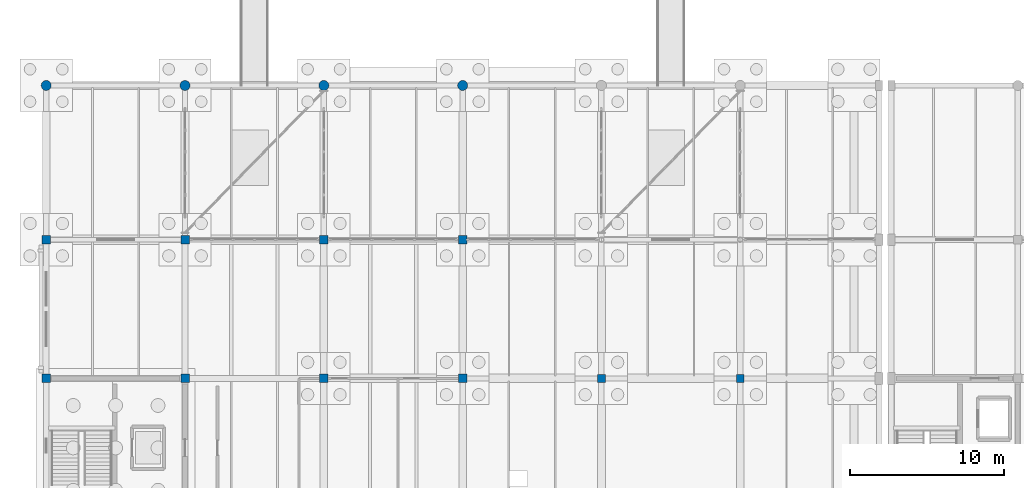
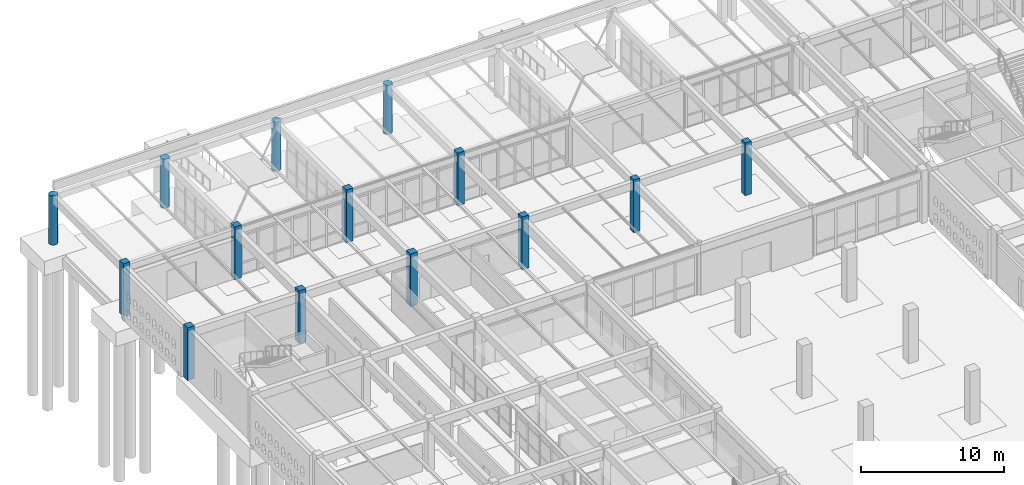
# One storey, part 13 of 186: 14 columns.
"""IFC4 building model written with IfcOpenShell, lengths in metres."""

import ifcopenshell
import ifcopenshell.guid

model = None  # the IFC model being written
_history = None  # IfcOwnerHistory: only IFC2X3 demands one
_inside = {}  # id of a spatial element -> (the spatial element, [elements in it])
_under = {}  # id of a project, library or spatial element -> (it, [spatial elements below it])
_declared = {}  # id of a project -> (the project, [libraries it declares])
_typed = {}  # id of a type object -> (the type object, [elements of that type])
_made_of = {}  # id of a material, layer set ... -> (it, [elements and type objects made of it])


def new_model(schema):
    """Start an empty IFC model of exactly this schema.

    Asked for "IFC4X3", IfcOpenShell would pick the latest addendum, in which some entities
    have other attributes; the version numbers below select the first issue.
    IFC2X3 requires an IfcOwnerHistory on every rooted entity: one is made here for all.
    """
    global model, _history
    if schema == "IFC4X3":
        model = ifcopenshell.file(schema_version=(4, 3, 0, 0))
    else:
        model = ifcopenshell.file(schema=schema)
    _inside.clear()
    _under.clear()
    _declared.clear()
    _typed.clear()
    _made_of.clear()
    _history = None
    if model.schema == "IFC2X3":
        org = make("IfcOrganization", Name="unknown")
        user = make(
            "IfcPersonAndOrganization",
            ThePerson=make("IfcPerson", FamilyName="unknown"),
            TheOrganization=org,
        )
        app = make(
            "IfcApplication",
            ApplicationDeveloper=org,
            Version="unknown",
            ApplicationFullName="unknown",
            ApplicationIdentifier="unknown",
        )
        _history = make(
            "IfcOwnerHistory",
            OwningUser=user,
            OwningApplication=app,
            ChangeAction="ADDED",
            CreationDate=0,
        )
    return model


def make(cls, **values):
    """One entity of the class cls with the attributes given. An attribute that is None is left unset."""
    return model.create_entity(
        cls, **{name: value for name, value in values.items() if value is not None}
    )


def rooted(cls, **values):
    """An entity with a GlobalId (a new one), such as an element, a storey or a relation."""
    return make(cls, GlobalId=ifcopenshell.guid.new(), OwnerHistory=_history, **values)


def si_unit(unit_type, name, prefix=None):
    """IfcSIUnit, for example si_unit("LENGTHUNIT", "METRE", prefix="MILLI")."""
    return make("IfcSIUnit", UnitType=unit_type, Prefix=prefix, Name=name)


def assignment(units):
    """IfcUnitAssignment: the units of a project."""
    return None if units is None else make("IfcUnitAssignment", Units=units)


def point(xyz):
    """IfcCartesianPoint."""
    return None if xyz is None else make("IfcCartesianPoint", Coordinates=xyz)


def direction(xyz):
    """IfcDirection."""
    return None if xyz is None else make("IfcDirection", DirectionRatios=xyz)


def frame(location, z_axis=None, x_axis=None):
    """IfcAxis2Placement3D, a coordinate frame: its origin and axes. An axis left out is left unset."""
    return make(
        "IfcAxis2Placement3D",
        Location=point(location),
        Axis=direction(z_axis),
        RefDirection=direction(x_axis),
    )


def frame_2d(location, x_axis=None):
    """IfcAxis2Placement2D, a coordinate frame in the plane: its origin and x axis."""
    return make(
        "IfcAxis2Placement2D", Location=point(location), RefDirection=direction(x_axis)
    )


def origin():
    """The frame at (0, 0, 0) with its axes left unset."""
    return frame((0.0, 0.0, 0.0))


def origin_2d():
    """The frame at (0, 0) in the plane with its x axis left unset."""
    return frame_2d((0.0, 0.0))


def place(relative_to, where):
    """IfcLocalPlacement: puts the frame where relative to a parent placement (None: the world)."""
    return make(
        "IfcLocalPlacement", PlacementRelTo=relative_to, RelativePlacement=where
    )


def context(
    kind, dimensions, precision=None, world=None, true_north=None, identifier=None
):
    """IfcGeometricRepresentationContext, for example the 3D "Model" context."""
    return make(
        "IfcGeometricRepresentationContext",
        ContextIdentifier=identifier,
        ContextType=kind,
        CoordinateSpaceDimension=dimensions,
        Precision=precision,
        WorldCoordinateSystem=world,
        TrueNorth=true_north,
    )


def subcontext(parent, identifier, kind, view, scale=None):
    """IfcGeometricRepresentationSubContext, for example "Body" below "Model"."""
    return make(
        "IfcGeometricRepresentationSubContext",
        ContextIdentifier=identifier,
        ContextType=kind,
        ParentContext=parent,
        TargetScale=scale,
        TargetView=view,
    )


def project(units=None, contexts=None):
    """IfcProject with its units and contexts."""
    return rooted(
        "IfcProject",
        Name="project",
        RepresentationContexts=contexts,
        UnitsInContext=assignment(units),
    )


def spatial(cls, under=None, at=None, **own):
    """A site, building, storey or space (cls), placed at a placement, below another one or the project."""
    s = rooted(cls, ObjectPlacement=at, **own)
    if under is not None:
        _under.setdefault(under.id(), (under, []))[1].append(s)
    return s


def profile(cls, at=None, kind="AREA", **sizes):
    """A parametric profile (cls). Its sizes go by their IFC names, for example OverallWidth=200.0."""
    return make(cls, ProfileType=kind, Position=at, **sizes)


def rectangle(**sizes):
    """IfcRectangleProfileDef."""
    return profile("IfcRectangleProfileDef", **sizes)


def circle(**sizes):
    """IfcCircleProfileDef."""
    return profile("IfcCircleProfileDef", **sizes)


def extrude(swept, where, along, depth):
    """IfcExtrudedAreaSolid: the profile swept, set in the frame where, extruded along a direction by depth."""
    return make(
        "IfcExtrudedAreaSolid",
        SweptArea=swept,
        Position=where,
        ExtrudedDirection=direction(along),
        Depth=depth,
    )


def shape(context_of_items, identifier, shape_type, items):
    """IfcShapeRepresentation: the items that make up one representation, for example the "Body"."""
    return make(
        "IfcShapeRepresentation",
        ContextOfItems=context_of_items,
        RepresentationIdentifier=identifier,
        RepresentationType=shape_type,
        Items=items,
    )


def material(Name=None, Category=None):
    """IfcMaterial."""
    return make("IfcMaterial", Name=Name, Category=Category)


def material_profile(
    of_material, cross_section, Name=None, Category=None, Priority=None
):
    """IfcMaterialProfile: a cross section and its material."""
    return make(
        "IfcMaterialProfile",
        Name=Name,
        Material=of_material,
        Profile=cross_section,
        Priority=Priority,
        Category=Category,
    )


def profile_set(profiles, Name=None, composite=None):
    """IfcMaterialProfileSet."""
    return make(
        "IfcMaterialProfileSet",
        Name=Name,
        MaterialProfiles=profiles,
        CompositeProfile=composite,
    )


def made_of(thing, what):
    """Note that an element or type object is made of a material, layer set ...; save() writes the relation."""
    if what is not None:
        _made_of.setdefault(what.id(), (what, []))[1].append(thing)
    return thing


def type_object(cls, material=None, **own):
    """A type object (cls), such as IfcWallType, which elements share."""
    return made_of(rooted(cls, **own), material)


def element(
    cls,
    number,
    at=None,
    inside=None,
    cuts=None,
    type_object=None,
    material=None,
    context=None,
    identifier="Body",
    shape_type=None,
    held_by="IfcProductDefinitionShape",
    body=None,
    shapes=None,
    **own,
):
    """One element of the class cls, such as IfcWall. Its Tag is "e" and its number.

    at: its placement. inside: the storey or other place that contains it. cuts: it is an
    opening in that element (IfcRelVoidsElement). A single representation is given by context,
    identifier, shape_type and body (its items); several are given by shapes. held_by: the class
    of the entity that holds the representations. save() writes the other relations.
    """
    e = rooted(cls, Tag="e%d" % number, ObjectPlacement=at, **own)
    if body is not None:
        shapes = [shape(context, identifier, shape_type, body)]
    if shapes is not None:
        e.Representation = make(held_by, Representations=shapes)
    if inside is not None:
        _inside.setdefault(inside.id(), (inside, []))[1].append(e)
    if cuts is not None:
        rooted(
            "IfcRelVoidsElement", RelatingBuildingElement=cuts, RelatedOpeningElement=e
        )
    if type_object is not None:
        _typed.setdefault(type_object.id(), (type_object, []))[1].append(e)
    return made_of(e, material)


def aggregate(whole, parts):
    """IfcRelAggregates: a whole, such as a stair, and the parts it consists of."""
    return rooted("IfcRelAggregates", RelatingObject=whole, RelatedObjects=parts)


def save(model, path):
    """Write the relations noted so far, then the file.

    IfcRelAggregates (storeys below a building ...), IfcRelContainedInSpatialStructure (elements
    in a storey), IfcRelDefinesByType, IfcRelAssociatesMaterial and IfcRelDeclares: one each for
    every whole, place, type object, material and project.
    """
    for whole, parts in _under.values():
        aggregate(whole, parts)
    for where, things in _inside.values():
        rooted(
            "IfcRelContainedInSpatialStructure",
            RelatedElements=things,
            RelatingStructure=where,
        )
    for kind, things in _typed.values():
        rooted("IfcRelDefinesByType", RelatedObjects=things, RelatingType=kind)
    for what, things in _made_of.values():
        rooted("IfcRelAssociatesMaterial", RelatedObjects=things, RelatingMaterial=what)
    for by, libraries in _declared.values():
        rooted("IfcRelDeclares", RelatingContext=by, RelatedDefinitions=libraries)
    model.write(path)


model = new_model("IFC4")

# Units and contexts
model_context = context("Model", 3, precision=1e-05, world=origin(), true_north=direction((0.0, 1.0)))
body_context = subcontext(model_context, "Body", "Model", "MODEL_VIEW")
ifc_project = project(units=[si_unit("LENGTHUNIT", "METRE"), si_unit("AREAUNIT", "SQUARE_METRE"), si_unit("VOLUMEUNIT", "CUBIC_METRE"), si_unit("PLANEANGLEUNIT", "RADIAN"), si_unit("MASSUNIT", "GRAM", prefix="KILO")], contexts=[model_context])

# Site, building, storey
site_placement = place(None, origin())
site = spatial("IfcSite", under=ifc_project, at=site_placement, CompositionType="ELEMENT")
building_placement = place(site_placement, origin())
building = spatial("IfcBuilding", under=site, at=building_placement, Name="Ornek Quay Market", CompositionType="ELEMENT")
storey_placement = place(building_placement, origin())
storey = spatial("IfcBuildingStorey", under=building, at=storey_placement, Name="L00", CompositionType="ELEMENT", Elevation=0.0)

# Columns
ifc_material = material(Name="Concrete C40/50", Category="concrete")
ifc_material_profile_1 = material_profile(ifc_material, circle(Radius=0.324951171875, at=origin_2d()), Name="RC D650", Category="concrete")
ifc_profile_set_1 = profile_set([ifc_material_profile_1], Name="Concrete C40/50")
column_type_1 = type_object("IfcColumnType", Name="COL-QUAY-D650", PredefinedType="COLUMN", material=ifc_profile_set_1)
for number, where, z_axis, x_axis, name in (
    (1, (0.0, 120.0, 0.0), (0.0, 0.0, 1.0), (1.0, 0.0, 0.0), "Column C-QD1-001"),
    (2, (9.0, 120.0, 0.0), (0.0, 0.0, 1.0), (1.0, 0.0, 0.0), "Column C-QD1-002"),
    (3, (18.0, 120.0, 0.0), (0.0, 0.0, 1.0), (1.0, 0.0, 0.0), "Column C-QD1-003"),
    (4, (27.0, 120.0, 0.0), (0.0, 0.0, 1.0), (1.0, 0.0, 0.0), "Column C-QD1-004"),
):
    element("IfcColumn", number, at=place(storey_placement, frame(where, z_axis=z_axis, x_axis=x_axis)), inside=storey, type_object=column_type_1, Name=name, PredefinedType="COLUMN", context=body_context, shape_type="SweptSolid", body=[
        extrude(circle(Radius=0.324951171875, at=origin_2d()), origin(), (0.0, 0.0, 1.0), 4.18994140625),
    ])
ifc_material_profile_2 = material_profile(ifc_material, rectangle(XDim=0.5, YDim=0.5, at=origin_2d()), Name="RC 500x500", Category="concrete")
ifc_profile_set_2 = profile_set([ifc_material_profile_2], Name="Concrete C40/50")
column_type_2 = type_object("IfcColumnType", Name="COL-RC-500x500", PredefinedType="COLUMN", material=ifc_profile_set_2)
for number, where, z_axis, x_axis, name in (
    (5, (36.0, 101.0, 0.0), (0.0, 0.0, 1.0), (1.0, 0.0, 0.0), "Column C-50-047"),
    (6, (45.0, 101.0, 0.0), (0.0, 0.0, 1.0), (1.0, 0.0, 0.0), "Column C-50-050"),
):
    element("IfcColumn", number, at=place(storey_placement, frame(where, z_axis=z_axis, x_axis=x_axis)), inside=storey, type_object=column_type_2, Name=name, PredefinedType="COLUMN", context=body_context, shape_type="SweptSolid", body=[
        extrude(rectangle(XDim=0.5, YDim=0.5, at=origin_2d()), origin(), (0.0, 0.0, 1.0), 4.5),
    ])
ifc_material_profile_3 = material_profile(ifc_material, rectangle(XDim=0.550048828125, YDim=0.550048828125, at=origin_2d()), Name="RC 550x550", Category="concrete")
ifc_profile_set_3 = profile_set([ifc_material_profile_3], Name="Concrete C40/50")
column_type_3 = type_object("IfcColumnType", Name="COL-RC-550x550", PredefinedType="COLUMN", material=ifc_profile_set_3)
for number, where, z_axis, x_axis, name in (
    (7, (0.0, 101.0, 0.0), (0.0, 0.0, 1.0), (1.0, 0.0, 0.0), "Column C-55-010"),
    (8, (0.0, 110.0, 0.0), (0.0, 0.0, 1.0), (1.0, 0.0, 0.0), "Column C-55-011"),
    (9, (9.0, 101.0, 0.0), (0.0, 0.0, 1.0), (1.0, 0.0, 0.0), "Column C-55-021"),
    (10, (9.0, 110.0, 0.0), (0.0, 0.0, 1.0), (1.0, 0.0, 0.0), "Column C-55-022"),
    (11, (18.0, 101.0, 0.0), (0.0, 0.0, 1.0), (1.0, 0.0, 0.0), "Column C-55-032"),
    (12, (18.0, 110.0, 0.0), (0.0, 0.0, 1.0), (1.0, 0.0, 0.0), "Column C-55-033"),
    (13, (27.0, 101.0, 0.0), (0.0, 0.0, 1.0), (1.0, 0.0, 0.0), "Column C-55-043"),
    (14, (27.0, 110.0, 0.0), (0.0, 0.0, 1.0), (1.0, 0.0, 0.0), "Column C-55-044"),
):
    element("IfcColumn", number, at=place(storey_placement, frame(where, z_axis=z_axis, x_axis=x_axis)), inside=storey, type_object=column_type_3, Name=name, PredefinedType="COLUMN", context=body_context, shape_type="SweptSolid", body=[
        extrude(rectangle(XDim=0.550048828125, YDim=0.550048828125, at=origin_2d()), origin(), (0.0, 0.0, 1.0), 4.5),
    ])

save(model, "model.ifc")
